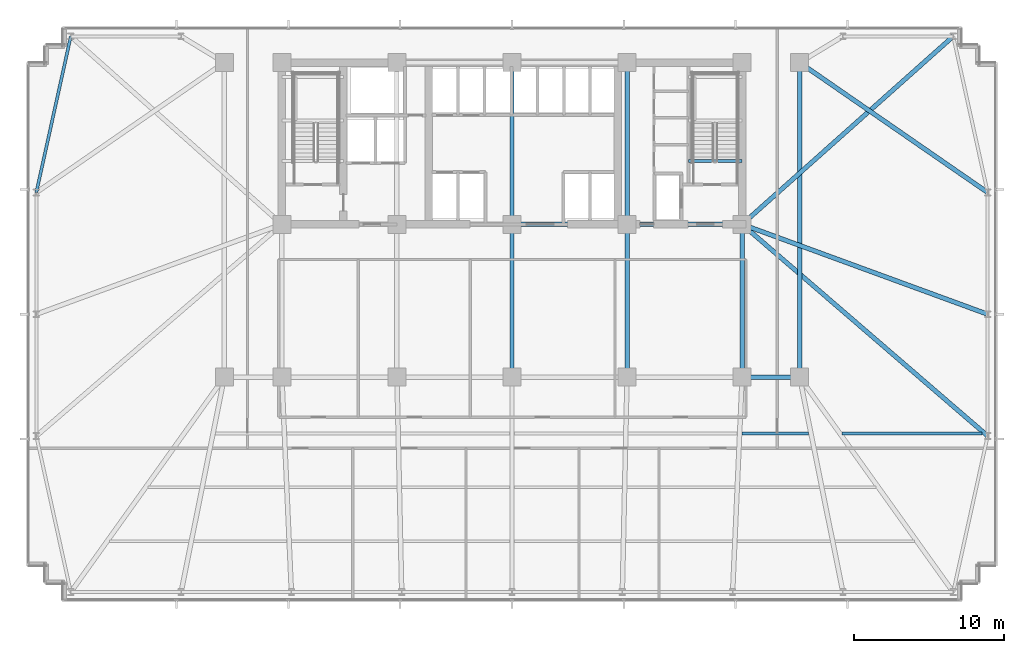
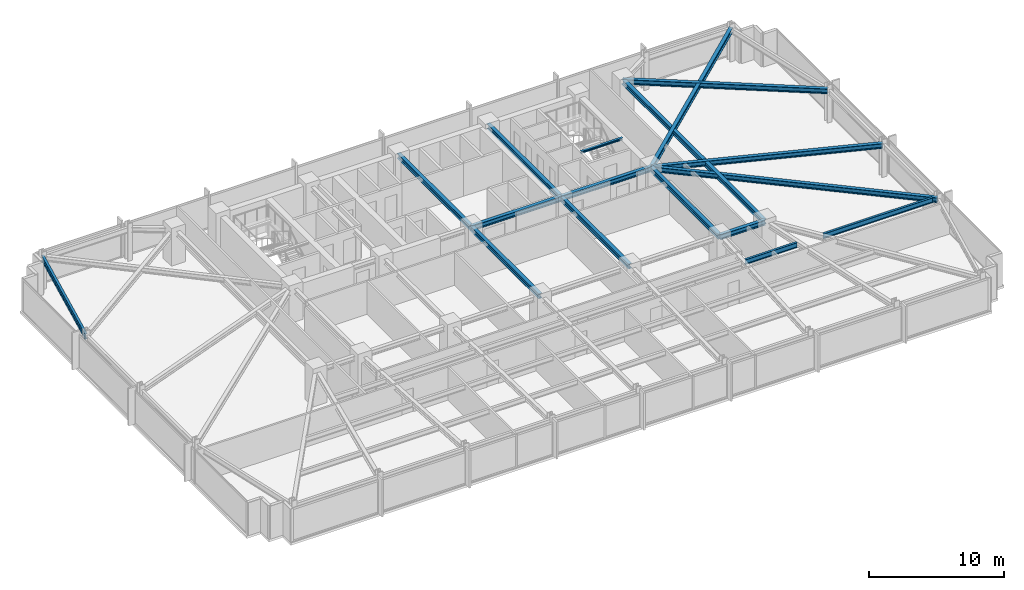
# One storey, part 16 of 32: 17 beams.
"""IFC4 building model written with IfcOpenShell, lengths in metres."""

from ifc_helpers import new_model, si_unit, direction, frame, origin, origin_2d, place, context, subcontext, project, spatial, i_section, extrude, material, material_profile, profile_set, type_object, element, save


model = new_model("IFC4")

# Units and contexts
model_context = context("Model", 3, precision=1e-05, world=origin(), true_north=direction((0.0, 1.0)))
body_context = subcontext(model_context, "Body", "Model", "MODEL_VIEW")
ifc_project = project(units=[si_unit("LENGTHUNIT", "METRE"), si_unit("AREAUNIT", "SQUARE_METRE"), si_unit("VOLUMEUNIT", "CUBIC_METRE"), si_unit("PLANEANGLEUNIT", "RADIAN"), si_unit("MASSUNIT", "GRAM", prefix="KILO")], contexts=[model_context])

# Site, building, storey
site_placement = place(None, origin())
site = spatial("IfcSite", under=ifc_project, at=site_placement, CompositionType="ELEMENT")
building_placement = place(site_placement, origin())
building = spatial("IfcBuilding", under=site, at=building_placement, Name="Yelkora Congress Tower", CompositionType="ELEMENT")
storey_placement = place(building_placement, frame((0.0, 0.0, 74.60009765625)))
storey = spatial("IfcBuildingStorey", under=building, at=storey_placement, Name="L19", CompositionType="ELEMENT", Elevation=74.60009765625)

# Beams
ifc_material = material(Name="Steel S355J2", Category="steel")
ifc_material_profile_1 = material_profile(ifc_material, i_section(OverallWidth=0.300048828125, OverallDepth=0.449951171875, WebThickness=0.013916015625, FlangeThickness=0.02587890625, FilletRadius=0.027099609375, at=origin_2d()), Name="HEB 450")
ifc_profile_set_1 = profile_set([ifc_material_profile_1], Name="Steel S355J2")
beam_type_1 = type_object("IfcBeamType", Name="BM-GIRD-HEB450", PredefinedType="BEAM", material=ifc_profile_set_1)
beam_1_placement = place(storey_placement, frame((53.760009765625, 25.199951171875, 2.7548828125), z_axis=(1.0, 0.0, 0.0), x_axis=(0.0, 1.0, 0.0)))
element("IfcBeam", 1, at=beam_1_placement, inside=storey, type_object=beam_type_1, Name="L19 Spine Grid D Girder 6", PredefinedType="BEAM", context=body_context, shape_type="SweptSolid", body=[
    extrude(i_section(OverallWidth=0.300048828125, OverallDepth=0.449951171875, WebThickness=0.013916015625, FlangeThickness=0.02587890625, FilletRadius=0.027099609375, at=origin_2d()), origin(), (0.0, 0.0, 1.0), 3.840087890625),
])
beam_2_placement = place(storey_placement, frame((38.39990234375, 35.39990234375, 2.7548828125), z_axis=(1.0, 0.0, 0.0), x_axis=(0.0, 1.0, 0.0)))
element("IfcBeam", 2, at=beam_2_placement, inside=storey, type_object=beam_type_1, Name="L19 Core South Girder 3", PredefinedType="BEAM", context=body_context, shape_type="SweptSolid", body=[
    extrude(i_section(OverallWidth=0.300048828125, OverallDepth=0.449951171875, WebThickness=0.013916015625, FlangeThickness=0.02587890625, FilletRadius=0.027099609375, at=origin_2d()), origin(), (0.0, 0.0, 1.0), 7.68017578125),
])
beam_3_placement = place(storey_placement, frame((46.080078125, 35.39990234375, 2.7548828125), z_axis=(1.0, 0.0, 0.0), x_axis=(0.0, 1.0, 0.0)))
element("IfcBeam", 3, at=beam_3_placement, inside=storey, type_object=beam_type_1, Name="L19 Core South Girder 4", PredefinedType="BEAM", context=body_context, shape_type="SweptSolid", body=[
    extrude(i_section(OverallWidth=0.300048828125, OverallDepth=0.449951171875, WebThickness=0.013916015625, FlangeThickness=0.02587890625, FilletRadius=0.027099609375, at=origin_2d()), origin(), (0.0, 0.0, 1.0), 7.679931640625),
])
beam_4_placement = place(storey_placement, frame((38.39990234375, 25.199951171875, 2.7548828125), z_axis=(0.0, 1.0, 0.0), x_axis=(-1.0, 0.0, 0.0)))
element("IfcBeam", 4, at=beam_4_placement, inside=storey, type_object=beam_type_1, Name="L19 Core Tie Girder MC-D3", PredefinedType="BEAM", context=body_context, shape_type="SweptSolid", body=[
    extrude(i_section(OverallWidth=0.300048828125, OverallDepth=0.449951171875, WebThickness=0.013916015625, FlangeThickness=0.02587890625, FilletRadius=0.027099609375, at=origin_2d()), origin(), (0.0, 0.0, 1.0), 10.199951171875),
])
beam_5_placement = place(storey_placement, frame((38.39990234375, 35.39990234375, 2.7548828125), z_axis=(0.0, 1.0, 0.0), x_axis=(-1.0, 0.0, 0.0)))
element("IfcBeam", 5, at=beam_5_placement, inside=storey, type_object=beam_type_1, Name="L19 Core Tie Girder MC-S3", PredefinedType="BEAM", context=body_context, shape_type="SweptSolid", body=[
    extrude(i_section(OverallWidth=0.300048828125, OverallDepth=0.449951171875, WebThickness=0.013916015625, FlangeThickness=0.02587890625, FilletRadius=0.027099609375, at=origin_2d()), origin(), (0.0, 0.0, 1.0), 10.800048828125),
])
beam_6_placement = place(storey_placement, frame((46.080078125, 25.199951171875, 2.7548828125), z_axis=(0.0, 1.0, 0.0), x_axis=(-1.0, 0.0, 0.0)))
element("IfcBeam", 6, at=beam_6_placement, inside=storey, type_object=beam_type_1, Name="L19 Core Tie Girder MC-D4", PredefinedType="BEAM", context=body_context, shape_type="SweptSolid", body=[
    extrude(i_section(OverallWidth=0.300048828125, OverallDepth=0.449951171875, WebThickness=0.013916015625, FlangeThickness=0.02587890625, FilletRadius=0.027099609375, at=origin_2d()), origin(), (0.0, 0.0, 1.0), 10.199951171875),
])
beam_7_placement = place(storey_placement, frame((46.080078125, 35.39990234375, 2.7548828125), z_axis=(0.0, 1.0, 0.0), x_axis=(-1.0, 0.0, 0.0)))
element("IfcBeam", 7, at=beam_7_placement, inside=storey, type_object=beam_type_1, Name="L19 Core Tie Girder MC-S4", PredefinedType="BEAM", context=body_context, shape_type="SweptSolid", body=[
    extrude(i_section(OverallWidth=0.300048828125, OverallDepth=0.449951171875, WebThickness=0.013916015625, FlangeThickness=0.02587890625, FilletRadius=0.027099609375, at=origin_2d()), origin(), (0.0, 0.0, 1.0), 10.800048828125),
])
beam_8_placement = place(storey_placement, frame((53.760009765625, 25.199951171875, 2.7548828125), z_axis=(0.0, 1.0, 0.0), x_axis=(-1.0, 0.0, 0.0)))
element("IfcBeam", 8, at=beam_8_placement, inside=storey, type_object=beam_type_1, Name="L19 Core Tie Girder MC-D5", PredefinedType="BEAM", context=body_context, shape_type="SweptSolid", body=[
    extrude(i_section(OverallWidth=0.300048828125, OverallDepth=0.449951171875, WebThickness=0.013916015625, FlangeThickness=0.02587890625, FilletRadius=0.027099609375, at=origin_2d()), origin(), (0.0, 0.0, 1.0), 10.199951171875),
])
beam_9_placement = place(storey_placement, frame((57.60009765625, 25.199951171875, 2.7548828125), z_axis=(0.0, 1.0, 0.0), x_axis=(-1.0, 0.0, 0.0)))
element("IfcBeam", 9, at=beam_9_placement, inside=storey, type_object=beam_type_1, Name="L19 Neck Flank Girder MC-F2", PredefinedType="BEAM", context=body_context, shape_type="SweptSolid", body=[
    extrude(i_section(OverallWidth=0.300048828125, OverallDepth=0.449951171875, WebThickness=0.013916015625, FlangeThickness=0.02587890625, FilletRadius=0.027099609375, at=origin_2d()), origin(), (0.0, 0.0, 1.0), 21.0),
])
beam_10_placement = place(storey_placement, frame((67.85009765625, 47.949951171875, 2.7548828125), z_axis=(-0.746737189621, -0.665119214605, 0.0), x_axis=(0.665119214605, -0.746737189621, 0.0)))
element("IfcBeam", 10, at=beam_10_placement, inside=storey, type_object=beam_type_1, Name="L19 Primary Frame Girder N09", PredefinedType="BEAM", context=body_context, shape_type="SweptSolid", body=[
    extrude(i_section(OverallWidth=0.300048828125, OverallDepth=0.449951171875, WebThickness=0.013916015625, FlangeThickness=0.02587890625, FilletRadius=0.027099609375, at=origin_2d()), origin(), (0.0, 0.0, 1.0), 18.868896484375),
])
beam_11_placement = place(storey_placement, frame((70.14990234375, 21.27490234375, 2.7548828125), z_axis=(-0.757506357109, 0.652827786586, 0.0), x_axis=(-0.652827786586, -0.757506357109, 0.0)))
element("IfcBeam", 11, at=beam_11_placement, inside=storey, type_object=beam_type_1, Name="L19 Primary Frame Girder E01", PredefinedType="BEAM", context=body_context, shape_type="SweptSolid", body=[
    extrude(i_section(OverallWidth=0.300048828125, OverallDepth=0.449951171875, WebThickness=0.013916015625, FlangeThickness=0.02587890625, FilletRadius=0.027099609375, at=origin_2d()), origin(), (0.0, 0.0, 1.0), 21.63671875),
])
beam_12_placement = place(storey_placement, frame((70.14990234375, 29.39990234375, 2.7548828125), z_axis=(-0.939054471542, 0.343768380567, 0.0), x_axis=(-0.343768380567, -0.939054471542, 0.0)))
element("IfcBeam", 12, at=beam_12_placement, inside=storey, type_object=beam_type_1, Name="L19 Primary Frame Girder E02", PredefinedType="BEAM", context=body_context, shape_type="SweptSolid", body=[
    extrude(i_section(OverallWidth=0.300048828125, OverallDepth=0.449951171875, WebThickness=0.013916015625, FlangeThickness=0.02587890625, FilletRadius=0.027099609375, at=origin_2d()), origin(), (0.0, 0.0, 1.0), 17.45361328125),
])
beam_13_placement = place(storey_placement, frame((70.14990234375, 37.52490234375, 2.7548828125), z_axis=(-0.822599280139, 0.568621512357, 0.0), x_axis=(-0.568621512357, -0.822599280139, 0.0)))
element("IfcBeam", 13, at=beam_13_placement, inside=storey, type_object=beam_type_1, Name="L19 Primary Frame Girder E03", PredefinedType="BEAM", context=body_context, shape_type="SweptSolid", body=[
    extrude(i_section(OverallWidth=0.300048828125, OverallDepth=0.449951171875, WebThickness=0.013916015625, FlangeThickness=0.02587890625, FilletRadius=0.027099609375, at=origin_2d()), origin(), (0.0, 0.0, 1.0), 15.25634765625),
])
ifc_material_profile_2 = material_profile(ifc_material, i_section(OverallWidth=0.18994140625, OverallDepth=0.449951171875, WebThickness=0.009521484375, FlangeThickness=0.0146484375, FilletRadius=0.02099609375, at=origin_2d()), Name="IPE 450")
ifc_profile_set_2 = profile_set([ifc_material_profile_2], Name="Steel S355J2")
beam_type_2 = type_object("IfcBeamType", Name="BM-JOIST-IPE450", PredefinedType="JOIST", material=ifc_profile_set_2)
beam_14_placement = place(storey_placement, frame((53.754150390625, 21.449951171875, 2.7548828125), z_axis=(1.0, 0.0, 0.0), x_axis=(0.0, 1.0, 0.0)))
element("IfcBeam", 14, at=beam_14_placement, inside=storey, type_object=beam_type_2, Name="L19 Composite Floor Joist 22", PredefinedType="JOIST", context=body_context, shape_type="SweptSolid", body=[
    extrude(i_section(OverallWidth=0.18994140625, OverallDepth=0.449951171875, WebThickness=0.009521484375, FlangeThickness=0.0146484375, FilletRadius=0.02099609375, at=origin_2d()), origin(), (0.0, 0.0, 1.0), 4.4404296875),
])
beam_15_placement = place(storey_placement, frame((60.438720703125, 21.449951171875, 2.7548828125), z_axis=(1.0, 0.0, 0.0), x_axis=(0.0, 1.0, 0.0)))
element("IfcBeam", 15, at=beam_15_placement, inside=storey, type_object=beam_type_2, Name="L19 Composite Floor Joist 23", PredefinedType="JOIST", context=body_context, shape_type="SweptSolid", body=[
    extrude(i_section(OverallWidth=0.18994140625, OverallDepth=0.449951171875, WebThickness=0.009521484375, FlangeThickness=0.0146484375, FilletRadius=0.02099609375, at=origin_2d()), origin(), (0.0, 0.0, 1.0), 9.34814453125),
])
ifc_material_profile_3 = material_profile(ifc_material, i_section(OverallWidth=0.199951171875, OverallDepth=0.18994140625, WebThickness=0.006591796875, FlangeThickness=0.010009765625, FilletRadius=0.01806640625, at=origin_2d()), Name="HEA 200")
ifc_profile_set_3 = profile_set([ifc_material_profile_3], Name="Steel S355J2")
beam_type_3 = type_object("IfcBeamType", Name="BM-LAND-HEA200", PredefinedType="BEAM", material=ifc_profile_set_3)
beam_16_placement = place(storey_placement, frame((50.179931640625, 39.639892578125, 2.884521484375), z_axis=(1.0, 0.0, 0.0), x_axis=(0.0, 1.0, 0.0)))
element("IfcBeam", 16, at=beam_16_placement, inside=storey, type_object=beam_type_3, Name="ST-02 L19 Floor Arrival Stringer Header Beam", PredefinedType="BEAM", context=body_context, shape_type="SweptSolid", body=[
    extrude(i_section(OverallWidth=0.199951171875, OverallDepth=0.18994140625, WebThickness=0.006591796875, FlangeThickness=0.010009765625, FilletRadius=0.01806640625, at=origin_2d()), origin(), (0.0, 0.0, 1.0), 3.580078125),
])
ifc_material_profile_4 = material_profile(ifc_material, i_section(OverallWidth=0.199951171875, OverallDepth=0.5, WebThickness=0.01025390625, FlangeThickness=0.01611328125, FilletRadius=0.02099609375, at=origin_2d()), Name="IPE 500")
ifc_profile_set_4 = profile_set([ifc_material_profile_4], Name="Steel S355J2")
beam_type_4 = type_object("IfcBeamType", Name="BM-SPAN-IPE500", PredefinedType="SPANDREL", material=ifc_profile_set_4)
beam_17_placement = place(storey_placement, frame((8.949951171875, 47.949951171875, 2.72998046875), z_axis=(-0.215445894778, -0.976515778891, 0.0), x_axis=(0.976515778891, -0.215445894778, 0.0)))
element("IfcBeam", 17, at=beam_17_placement, inside=storey, type_object=beam_type_4, Name="L19 Perimeter Beam 17", PredefinedType="SPANDREL", context=body_context, shape_type="SweptSolid", body=[
    extrude(i_section(OverallWidth=0.199951171875, OverallDepth=0.5, WebThickness=0.01025390625, FlangeThickness=0.01611328125, FilletRadius=0.02099609375, at=origin_2d()), origin(), (0.0, 0.0, 1.0), 10.67578125),
])

save(model, "model.ifc")
